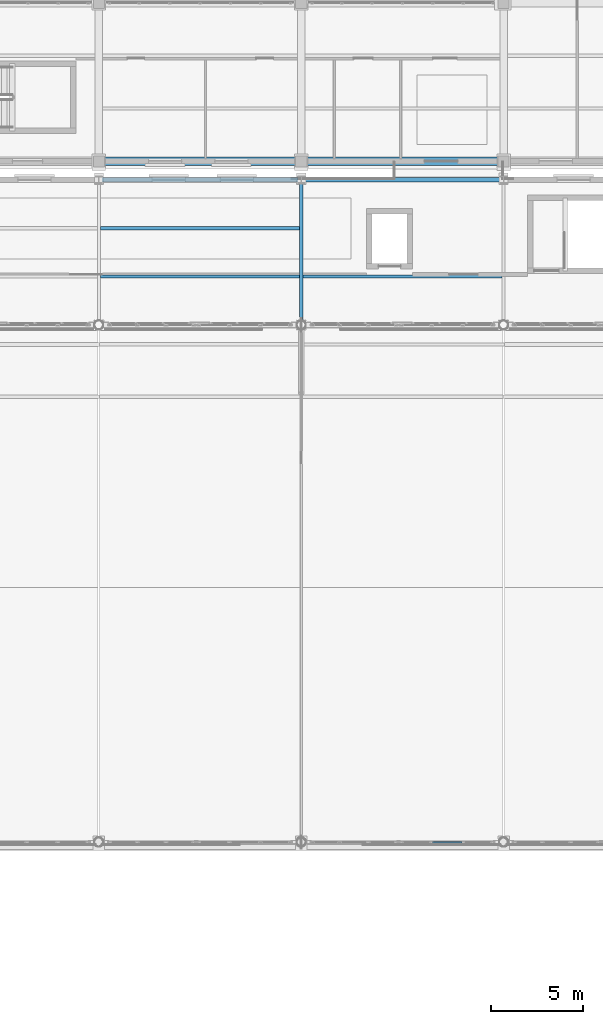
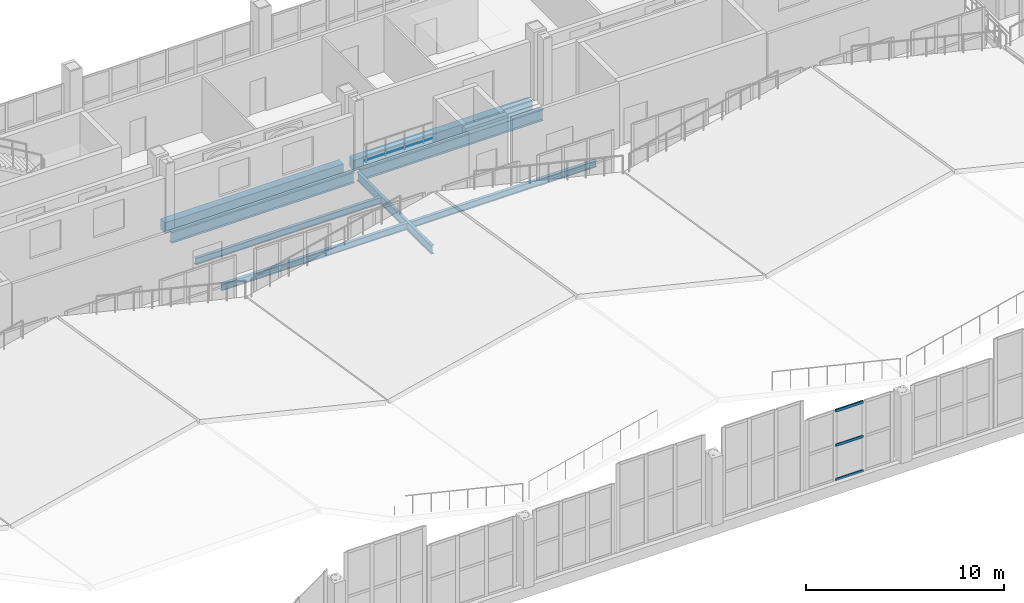
# One storey, part 32 of 120: 8 beams, 3 members, 1 element without a shape of its own.
"""IFC4 building model written with IfcOpenShell, lengths in metres."""

from ifc_helpers import new_model, si_unit, direction, frame, origin, origin_2d, place, context, subcontext, project, spatial, rectangle, hollow_rectangle, i_section, extrude, material, material_profile, profile_set, type_object, element, aggregate, save


model = new_model("IFC4")

# Units and contexts
model_context = context("Model", 3, precision=1e-05, world=origin(), true_north=direction((0.0, 1.0)))
body_context = subcontext(model_context, "Body", "Model", "MODEL_VIEW")
ifc_project = project(units=[si_unit("LENGTHUNIT", "METRE"), si_unit("AREAUNIT", "SQUARE_METRE"), si_unit("VOLUMEUNIT", "CUBIC_METRE"), si_unit("PLANEANGLEUNIT", "RADIAN"), si_unit("MASSUNIT", "GRAM", prefix="KILO")], contexts=[model_context])

# Site, building, storey
site_placement = place(None, origin())
site = spatial("IfcSite", under=ifc_project, at=site_placement, CompositionType="ELEMENT")
building_placement = place(site_placement, origin())
building = spatial("IfcBuilding", under=site, at=building_placement, Name="Caurita Quay Ferry Terminal", CompositionType="ELEMENT")
storey_placement = place(building_placement, frame((0.0, 0.0, 9.89990234375)))
storey = spatial("IfcBuildingStorey", under=building, at=storey_placement, Name="L02", CompositionType="ELEMENT", Elevation=9.89990234375)

# Beams
ifc_material_1 = material(Name="Structural steel ASTM A992 Gr. 50", Category="steel")
ifc_material_profile_1 = material_profile(ifc_material_1, i_section(OverallWidth=0.25390625, OverallDepth=0.68310546875, WebThickness=0.012451171875, FlangeThickness=0.018798828125, at=origin_2d()), Name="W27X94")
ifc_profile_set_1 = profile_set([ifc_material_profile_1], Name="Structural steel ASTM A992 Gr. 50")
beam_type_1 = type_object("IfcBeamType", Name="BM-GR-W27B", PredefinedType="BEAM", material=ifc_profile_set_1)
for number, where, z_axis, x_axis, name in (
    (1, (44.167236328125, 70.60009765625, -0.5615234375), (1.0, 0.0, 0.0), (0.0, 1.0, 0.0), "L02 Beam BM-V1-L02-X-442-706"),
    (2, (55.167236328125, 70.60009765625, -0.5615234375), (1.0, 0.0, 0.0), (0.0, 1.0, 0.0), "L02 Beam BM-V1-L02-X-552-706"),
):
    element("IfcBeam", number, at=place(storey_placement, frame(where, z_axis=z_axis, x_axis=x_axis)), inside=storey, type_object=beam_type_1, Name=name, PredefinedType="BEAM", context=body_context, shape_type="SweptSolid", body=[
        extrude(i_section(OverallWidth=0.25390625, OverallDepth=0.68310546875, WebThickness=0.012451171875, FlangeThickness=0.018798828125, at=origin_2d()), origin(), (0.0, 0.0, 1.0), 10.66552734375),
    ])
ifc_material_profile_2 = material_profile(ifc_material_1, i_section(OverallWidth=0.177734375, OverallDepth=0.40380859375, WebThickness=0.007568359375, FlangeThickness=0.010986328125, FilletRadius=0.011474609375, at=origin_2d()), Name="W16X36")
ifc_profile_set_2 = profile_set([ifc_material_profile_2], Name="Structural steel ASTM A992 Gr. 50")
beam_type_2 = type_object("IfcBeamType", Name="BM-JS-W16B", PredefinedType="JOIST", material=ifc_profile_set_2)
for number, where, z_axis, x_axis, name in (
    (3, (44.083251953125, 65.333251953125, -0.421875), (1.0, 0.0, 0.0), (0.0, 1.0, 0.0), "L02 Beam JS-V1-L02-004"),
    (4, (44.083251953125, 67.966796875, -0.421875), (1.0, 0.0, 0.0), (0.0, 1.0, 0.0), "L02 Beam JS-V1-L02-005"),
    (5, (55.083251953125, 65.333251953125, -0.421875), (1.0, 0.0, 0.0), (0.0, 1.0, 0.0), "L02 Beam JS-V1-L02-006"),
):
    element("IfcBeam", number, at=place(storey_placement, frame(where, z_axis=z_axis, x_axis=x_axis)), inside=storey, type_object=beam_type_2, Name=name, PredefinedType="JOIST", context=body_context, shape_type="SweptSolid", body=[
        extrude(i_section(OverallWidth=0.177734375, OverallDepth=0.40380859375, WebThickness=0.007568359375, FlangeThickness=0.010986328125, FilletRadius=0.011474609375, at=origin_2d()), origin(), (0.0, 0.0, 1.0), 10.83349609375),
    ])
ifc_material_2 = material(Name="Reinforced concrete C35/45", Category="concrete")
ifc_material_profile_3 = material_profile(ifc_material_2, rectangle(XDim=0.449951171875, YDim=0.64990234375, at=origin_2d()), Name="RC-BM-450X650")
ifc_profile_set_3 = profile_set([ifc_material_profile_3], Name="Reinforced concrete C35/45")
beam_type_3 = type_object("IfcBeamType", Name="BM-RC-4565", PredefinedType="BEAM", material=ifc_profile_set_3)
for number, where, z_axis, x_axis, name in (
    (6, (44.297607421875, 71.60009765625, -0.544921875), (1.0, 0.0, 0.0), (0.0, 1.0, 0.0), "L02 Beam BM-V5-L02-X-443-716"),
    (7, (55.297607421875, 71.60009765625, -0.544921875), (1.0, 0.0, 0.0), (0.0, 1.0, 0.0), "L02 Beam BM-V5-L02-X-553-716"),
):
    element("IfcBeam", number, at=place(storey_placement, frame(where, z_axis=z_axis, x_axis=x_axis)), inside=storey, type_object=beam_type_3, Name=name, PredefinedType="BEAM", context=body_context, shape_type="SweptSolid", body=[
        extrude(rectangle(XDim=0.449951171875, YDim=0.64990234375, at=origin_2d()), origin(), (0.0, 0.0, 1.0), 10.40478515625),
    ])
ifc_material_profile_4 = material_profile(ifc_material_1, i_section(OverallWidth=0.16650390625, OverallDepth=0.535888671875, WebThickness=0.01025390625, FlangeThickness=0.0166015625, FilletRadius=0.013916015625, at=origin_2d()), Name="W21X57")
ifc_profile_set_4 = profile_set([ifc_material_profile_4], Name="Structural steel ASTM A992 Gr. 50")
beam_type_4 = type_object("IfcBeamType", Name="BM-SP-W21B", PredefinedType="SPANDREL", material=ifc_profile_set_4)
beam_placement = place(storey_placement, frame((55.0, 62.916015625, -0.48779296875), z_axis=(0.0, 1.0, 0.0), x_axis=(-1.0, 0.0, 0.0)))
element("IfcBeam", 8, at=beam_placement, inside=storey, type_object=beam_type_4, Name="L02 Beam BM-V1-L02-Y-550-629", PredefinedType="SPANDREL", context=body_context, shape_type="SweptSolid", body=[
    extrude(i_section(OverallWidth=0.16650390625, OverallDepth=0.535888671875, WebThickness=0.01025390625, FlangeThickness=0.0166015625, FilletRadius=0.013916015625, at=origin_2d()), origin(), (0.0, 0.0, 1.0), 7.524169921875),
])

# Curtain wall, members
ifc_material_3 = material(Name="Laminated solar-control insulated glass", Category="glass")
curtain_wall_type = type_object("IfcCurtainWallType", Name="CW-SYS-04", PredefinedType="NOTDEFINED", material=ifc_material_3)
curtain_wall_placement = place(storey_placement, origin())
curtain_wall = element("IfcCurtainWall", 9, at=curtain_wall_placement, inside=storey, type_object=curtain_wall_type, Name="Folded Roof Clerestory FB-03-S4", PredefinedType="NOTDEFINED")
ifc_material_4 = material(Name="Anodized aluminium 6063-T6", Category="aluminium")
ifc_material_profile_5 = material_profile(ifc_material_4, hollow_rectangle(XDim=0.074951171875, YDim=0.159912109375, WallThickness=0.00390625, at=origin_2d()), Name="ALU-TRN-75X160")
ifc_profile_set_5 = profile_set([ifc_material_profile_5], Name="Anodized aluminium 6063-T6")
member_type = type_object("IfcMemberType", Name="CW-TRN-160", PredefinedType="USERDEFINED", material=ifc_profile_set_5)
member_1_placement = place(storey_placement, frame((62.118896484375, 34.60009765625, 0.03759765625), z_axis=(1.0, 0.0, 0.0), x_axis=(0.0, 1.0, 0.0)))
member_1 = element("IfcMember", 10, at=member_1_placement, type_object=member_type, Name="CW-CLR-020 Transom 4", ObjectType="TRANSOM", PredefinedType="USERDEFINED", context=body_context, shape_type="SweptSolid", body=[
    extrude(hollow_rectangle(XDim=0.074951171875, YDim=0.159912109375, WallThickness=0.00390625, at=origin_2d()), origin(), (0.0, 0.0, 1.0), 1.6123046875),
])
member_2_placement = place(storey_placement, frame((62.118896484375, 34.60009765625, 2.156494140625), z_axis=(1.0, 0.0, 0.0), x_axis=(0.0, 1.0, 0.0)))
member_2 = element("IfcMember", 11, at=member_2_placement, type_object=member_type, Name="CW-CLR-020 Transom 5", ObjectType="TRANSOM", PredefinedType="USERDEFINED", context=body_context, shape_type="SweptSolid", body=[
    extrude(hollow_rectangle(XDim=0.074951171875, YDim=0.159912109375, WallThickness=0.00390625, at=origin_2d()), origin(), (0.0, 0.0, 1.0), 1.6123046875),
])
member_3_placement = place(storey_placement, frame((62.118896484375, 34.60009765625, 4.275634765625), z_axis=(1.0, 0.0, 0.0), x_axis=(0.0, 1.0, 0.0)))
member_3 = element("IfcMember", 12, at=member_3_placement, type_object=member_type, Name="CW-CLR-020 Transom 6", ObjectType="TRANSOM", PredefinedType="USERDEFINED", context=body_context, shape_type="SweptSolid", body=[
    extrude(hollow_rectangle(XDim=0.074951171875, YDim=0.159912109375, WallThickness=0.00390625, at=origin_2d()), origin(), (0.0, 0.0, 1.0), 1.6123046875),
])
aggregate(curtain_wall, [member_1, member_2, member_3])

save(model, "model.ifc")
